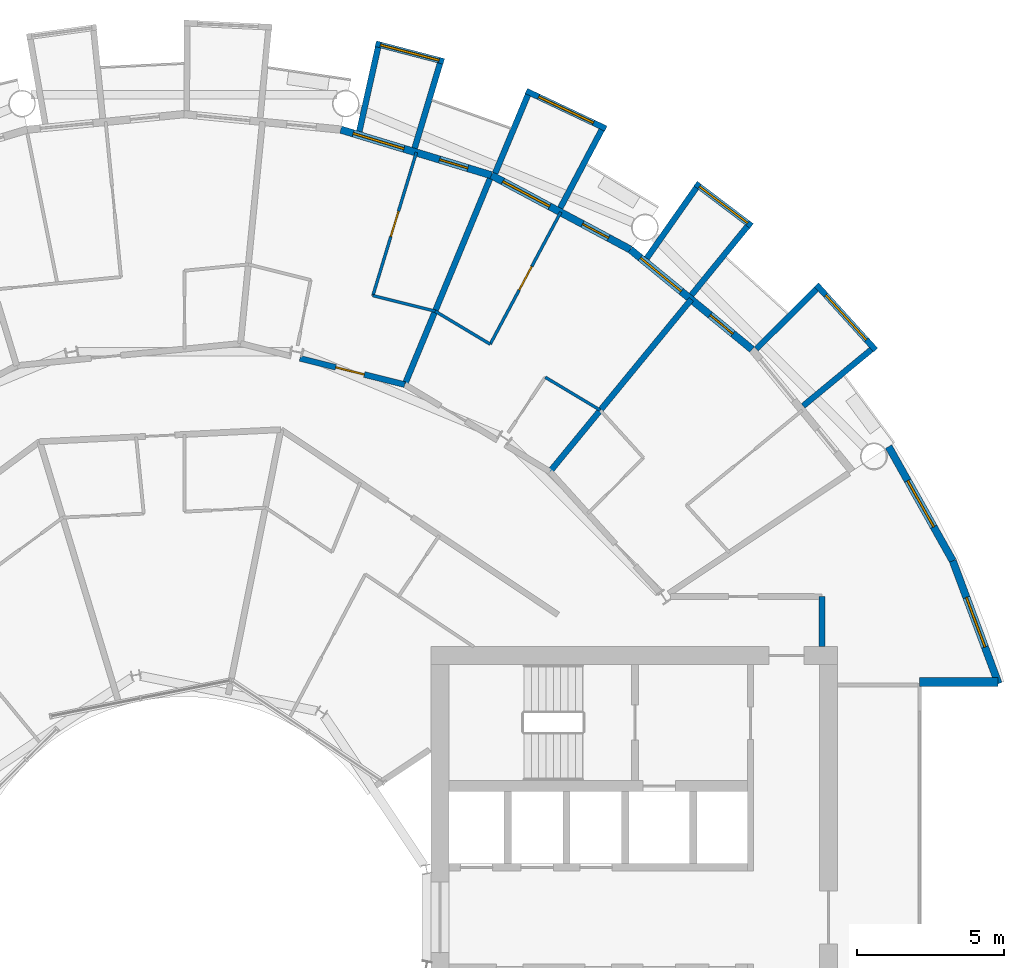
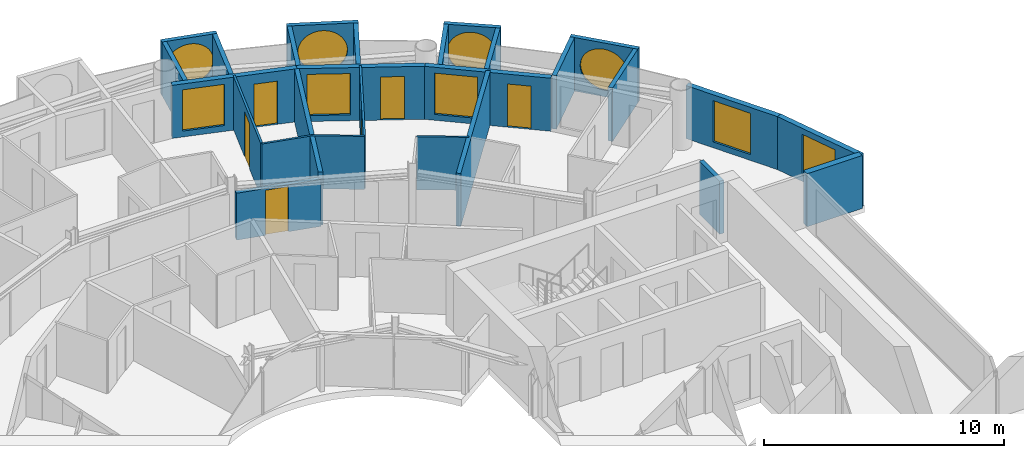
# One storey, part 23 of 27: 27 walls, 9 windows, 6 doors, 15 openings.
"""IFC4 building model written with IfcOpenShell, lengths in metres."""

from ifc_helpers import new_model, si_unit, direction, frame, frame_2d, origin, place, context, subcontext, project, spatial, rectangle, circle, extrude, material, layer, layer_set, type_object, element, fill, save


model = new_model("IFC4")

# Units and contexts
model_context = context("Model", 3, precision=1e-05, world=origin(), true_north=direction((0.0, 1.0)))
body_context = subcontext(model_context, "Body", "Model", "MODEL_VIEW")
ifc_project = project(units=[si_unit("LENGTHUNIT", "METRE"), si_unit("AREAUNIT", "SQUARE_METRE"), si_unit("VOLUMEUNIT", "CUBIC_METRE"), si_unit("PLANEANGLEUNIT", "RADIAN"), si_unit("MASSUNIT", "GRAM", prefix="KILO")], contexts=[model_context])

# Site, building, storey
site_placement = place(None, origin())
site = spatial("IfcSite", under=ifc_project, at=site_placement, CompositionType="ELEMENT")
building_placement = place(site_placement, origin())
building = spatial("IfcBuilding", under=site, at=building_placement, Name="Maasbend Ring Residences", CompositionType="ELEMENT")
storey_placement = place(building_placement, frame((0.0, 0.0, 126.89990234375)))
storey = spatial("IfcBuildingStorey", under=building, at=storey_placement, Name="L36", CompositionType="ELEMENT", Elevation=126.89990234375)

# Wall
ifc_material_1 = material(Name="Concrete C30/37", Category="concrete")
ifc_layer_1 = layer(ifc_material_1, 0.199951171875)
ifc_layer_set_1 = layer_set([ifc_layer_1], Name="Concrete C30/37")
wall_type_1 = type_object("IfcWallType", Name="CORRIDOR WALL 200 CONCRETE", PredefinedType="PARTITIONING", material=ifc_layer_set_1)
wall_1_placement = place(storey_placement, frame((21.675048828125, 9.199951171875, 0.0), z_axis=(0.0, 0.0, 1.0), x_axis=(0.0, 1.0, 0.0)))
element("IfcWall", 1, at=wall_1_placement, inside=storey, type_object=wall_type_1, Name="U-L36-w014", PredefinedType="PARTITIONING", context=body_context, shape_type="SweptSolid", body=[
    extrude(rectangle(XDim=1.699951171875, YDim=0.199951171875, at=frame_2d((0.85009765625, 0.0))), origin(), (0.0, 0.0, 1.0), 2.7001953125),
])

# Wall, opening, door
wall_2_placement = place(storey_placement, frame((3.93603515625, 19.0009765625, 0.0), z_axis=(0.0, 0.0, 1.0), x_axis=(0.970025155677, -0.243004521262, 0.0)))
wall_2 = element("IfcWall", 2, at=wall_2_placement, inside=storey, type_object=wall_type_1, Name="U-L36-w113", PredefinedType="PARTITIONING", context=body_context, shape_type="SweptSolid", body=[
    extrude(rectangle(XDim=3.675048828125, YDim=0.199951171875, at=frame_2d((1.83740234375, 0.0))), origin(), (0.0, 0.0, 1.0), 2.39013671875),
])
opening_1_placement = place(wall_2_placement, frame((1.258056640625, 0.0, 0.0)))
opening_1 = element("IfcOpeningElement", 3, at=opening_1_placement, cuts=wall_2, Name="Opening D-3607", PredefinedType="OPENING", context=body_context, shape_type="SweptSolid", body=[
    extrude(rectangle(XDim=1.0, YDim=2.300048828125, at=frame_2d((0.5, 1.14990234375))), frame((0.0, 0.10986328125, 0.0), z_axis=(0.0, -1.0, 0.0), x_axis=(1.0, 0.0, 0.0)), (0.0, 0.0, 1.0), 0.219970703125),
])
ifc_material_2 = material(Name="Timber, fire-rated, painted", Category="wood")
door_type_1 = type_object("IfcDoorType", Name="FLAT ENTRANCE DOOR 1000 X 2300 FIRE-RATED", OperationType="NOTDEFINED", PredefinedType="DOOR", material=ifc_material_2)
door_1_placement = place(opening_1_placement, origin())
door_1 = element("IfcDoor", 4, at=door_1_placement, inside=storey, type_object=door_type_1, Name="D-3607", OperationType="SINGLE_SWING_LEFT", OverallHeight=2.300048828125, OverallWidth=1.0, PredefinedType="DOOR", context=body_context, shape_type="SweptSolid", body=[
    extrude(rectangle(XDim=1.0, YDim=2.300048828125, at=frame_2d((0.5, 1.14990234375))), frame((0.0, 0.02490234375, 0.0), z_axis=(0.0, -1.0, 0.0), x_axis=(1.0, 0.0, 0.0)), (0.0, 0.0, 1.0), 0.050048828125),
])
fill(opening_1, door_1)

# Wall, opening, window
ifc_material_3 = material(Name="Pale anodised aluminium panel", Category="aluminium")
ifc_layer_2 = layer(ifc_material_3, 0.199951171875)
ifc_layer_set_2 = layer_set([ifc_layer_2], Name="EW-BOX")
wall_type_2 = type_object("IfcWallType", Name="EW-BOX", PredefinedType="SOLIDWALL", material=ifc_layer_set_2)
wall_3_placement = place(storey_placement, frame((23.5029296875, 19.281982421875, -0.02978515625), z_axis=(0.0, 0.0, 1.0), x_axis=(-0.671506829416, 0.740998365753, 0.0)))
wall_3 = element("IfcWall", 5, at=wall_3_placement, inside=storey, type_object=wall_type_2, Name="Box front N02", PredefinedType="SOLIDWALL", context=body_context, shape_type="SweptSolid", body=[
    extrude(rectangle(XDim=2.9931640625, YDim=0.199951171875, at=frame_2d((1.49658203125, 0.0))), origin(), (0.0, 0.0, 1.0), 2.72998046875),
])
opening_2_placement = place(wall_3_placement, frame((0.45654296875, 0.0, 0.330078125)))
opening_2 = element("IfcOpeningElement", 6, at=opening_2_placement, cuts=wall_3, Name="Opening W-RD", PredefinedType="OPENING", context=body_context, shape_type="SweptSolid", body=[
    extrude(circle(Radius=1.0400390625, at=frame_2d((1.0400390625, 1.0400390625))), frame((0.0, 0.10986328125, 0.0), z_axis=(0.0, -1.0, 0.0), x_axis=(1.0, 0.0, 0.0)), (0.0, 0.0, 1.0), 0.219970703125),
])
ifc_material_4 = material(Name="Aluminium and clear glass", Category="aluminium")
window_type_1 = type_object("IfcWindowType", Name="W-RD", PartitioningType="SINGLE_PANEL", PredefinedType="WINDOW", material=ifc_material_4)
window_1_placement = place(opening_2_placement, origin())
window_1 = element("IfcWindow", 7, at=window_1_placement, inside=storey, type_object=window_type_1, Name="Round window N02", OverallHeight=2.080078125, OverallWidth=2.080078125, PartitioningType="SINGLE_PANEL", PredefinedType="WINDOW", context=body_context, shape_type="SweptSolid", body=[
    extrude(circle(Radius=1.0400390625, at=frame_2d((1.0400390625, 1.0400390625))), frame((0.0, 0.030029296875, 0.0), z_axis=(0.0, -1.0, 0.0), x_axis=(1.0, 0.0, 0.0)), (0.0, 0.0, 1.0), 0.06005859375),
])
fill(opening_2, window_1)

# Walls
wall_4_placement = place(storey_placement, frame((21.041015625, 17.384033203125, -0.02978515625), z_axis=(0.0, 0.0, 1.0), x_axis=(0.770784861449, 0.63709551667, 0.0)))
element("IfcWall", 8, at=wall_4_placement, inside=storey, type_object=wall_type_2, Name="Box side wall N02 left", PredefinedType="SOLIDWALL", context=body_context, shape_type="SweptSolid", body=[
    extrude(rectangle(XDim=3.005859375, YDim=0.199951171875, at=frame_2d((1.5029296875, 0.0))), origin(), (0.0, 0.0, 1.0), 2.72998046875),
])
wall_5_placement = place(storey_placement, frame((19.449951171875, 19.322998046875, -0.02978515625), z_axis=(0.0, 0.0, 1.0), x_axis=(0.709727076896, 0.704476739375, 0.0)))
element("IfcWall", 9, at=wall_5_placement, inside=storey, type_object=wall_type_2, Name="Box side wall N02 right", PredefinedType="SOLIDWALL", context=body_context, shape_type="SweptSolid", body=[
    extrude(rectangle(XDim=2.883056640625, YDim=0.199951171875, at=frame_2d((1.44140625, 0.0))), origin(), (0.0, 0.0, 1.0), 2.72998046875),
])

# Wall, opening, window
wall_6_placement = place(storey_placement, frame((19.2890625, 23.4970703125, -0.02978515625), z_axis=(0.0, 0.0, 1.0), x_axis=(-0.797456837111, 0.603375996329, 0.0)))
wall_6 = element("IfcWall", 10, at=wall_6_placement, inside=storey, type_object=wall_type_2, Name="Box front N04", PredefinedType="SOLIDWALL", context=body_context, shape_type="SweptSolid", body=[
    extrude(rectangle(XDim=2.391357421875, YDim=0.199951171875, at=frame_2d((1.19580078125, 0.0))), origin(), (0.0, 0.0, 1.0), 2.72998046875),
])
opening_3_placement = place(wall_6_placement, frame((0.15576171875, 0.0, 0.330078125)))
opening_3 = element("IfcOpeningElement", 11, at=opening_3_placement, cuts=wall_6, Name="Opening W-RD", PredefinedType="OPENING", context=body_context, shape_type="SweptSolid", body=[
    extrude(circle(Radius=1.0400390625, at=frame_2d((1.0400390625, 1.0400390625))), frame((0.0, 0.10986328125, 0.0), z_axis=(0.0, -1.0, 0.0), x_axis=(1.0, 0.0, 0.0)), (0.0, 0.0, 1.0), 0.219970703125),
])
window_2_placement = place(opening_3_placement, origin())
window_2 = element("IfcWindow", 12, at=window_2_placement, inside=storey, type_object=window_type_1, Name="Round window N04", OverallHeight=2.080078125, OverallWidth=2.080078125, PartitioningType="SINGLE_PANEL", PredefinedType="WINDOW", context=body_context, shape_type="SweptSolid", body=[
    extrude(circle(Radius=1.0400390625, at=frame_2d((1.0400390625, 1.0400390625))), frame((0.0, 0.030029296875, 0.0), z_axis=(0.0, -1.0, 0.0), x_axis=(1.0, 0.0, 0.0)), (0.0, 0.0, 1.0), 0.06005859375),
])
fill(opening_3, window_2)

# Walls
wall_7_placement = place(storey_placement, frame((17.24609375, 21.155029296875, -0.02978515625), z_axis=(0.0, 0.0, 1.0), x_axis=(0.631741648902, 0.775179004516, 0.0)))
element("IfcWall", 13, at=wall_7_placement, inside=storey, type_object=wall_type_2, Name="Box side wall N04 left", PredefinedType="SOLIDWALL", context=body_context, shape_type="SweptSolid", body=[
    extrude(rectangle(XDim=3.005859375, YDim=0.199951171875, at=frame_2d((1.5029296875, 0.0))), origin(), (0.0, 0.0, 1.0), 2.72998046875),
])
wall_8_placement = place(storey_placement, frame((15.72607421875, 22.402099609375, -0.02978515625), z_axis=(0.0, 0.0, 1.0), x_axis=(0.574826383135, 0.818275399393, 0.0)))
element("IfcWall", 14, at=wall_8_placement, inside=storey, type_object=wall_type_2, Name="Box side wall N04 right", PredefinedType="SOLIDWALL", context=body_context, shape_type="SweptSolid", body=[
    extrude(rectangle(XDim=2.92919921875, YDim=0.199951171875, at=frame_2d((1.464599609375, 0.0))), origin(), (0.0, 0.0, 1.0), 2.72998046875),
])

# Wall, opening, window
wall_9_placement = place(storey_placement, frame((14.3349609375, 26.80810546875, -0.02978515625), z_axis=(0.0, 0.0, 1.0), x_axis=(-0.904000060331, 0.427532327342, 0.0)))
wall_9 = element("IfcWall", 15, at=wall_9_placement, inside=storey, type_object=wall_type_2, Name="Box front N06", PredefinedType="SOLIDWALL", context=body_context, shape_type="SweptSolid", body=[
    extrude(rectangle(XDim=2.993408203125, YDim=0.199951171875, at=frame_2d((1.49658203125, 0.0))), origin(), (0.0, 0.0, 1.0), 2.72998046875),
])
opening_4_placement = place(wall_9_placement, frame((0.45654296875, 0.0, 0.330078125)))
opening_4 = element("IfcOpeningElement", 16, at=opening_4_placement, cuts=wall_9, Name="Opening W-RD", PredefinedType="OPENING", context=body_context, shape_type="SweptSolid", body=[
    extrude(circle(Radius=1.0400390625, at=frame_2d((1.0400390625, 1.0400390625))), frame((0.0, 0.10986328125, 0.0), z_axis=(0.0, -1.0, 0.0), x_axis=(1.0, 0.0, 0.0)), (0.0, 0.0, 1.0), 0.219970703125),
])
window_3_placement = place(opening_4_placement, origin())
window_3 = element("IfcWindow", 17, at=window_3_placement, inside=storey, type_object=window_type_1, Name="Round window N06", OverallHeight=2.080078125, OverallWidth=2.080078125, PartitioningType="SINGLE_PANEL", PredefinedType="WINDOW", context=body_context, shape_type="SweptSolid", body=[
    extrude(circle(Radius=1.0400390625, at=frame_2d((1.0400390625, 1.0400390625))), frame((0.0, 0.030029296875, 0.0), z_axis=(0.0, -1.0, 0.0), x_axis=(1.0, 0.0, 0.0)), (0.0, 0.0, 1.0), 0.06005859375),
])
fill(opening_4, window_3)

# Walls
wall_10_placement = place(storey_placement, frame((12.787109375, 24.113037109375, -0.02978515625), z_axis=(0.0, 0.0, 1.0), x_axis=(0.468365282436, 0.883534924159, 0.0)))
element("IfcWall", 18, at=wall_10_placement, inside=storey, type_object=wall_type_2, Name="Box side wall N06 left", PredefinedType="SOLIDWALL", context=body_context, shape_type="SweptSolid", body=[
    extrude(rectangle(XDim=3.006103515625, YDim=0.199951171875, at=frame_2d((1.5029296875, 0.0))), origin(), (0.0, 0.0, 1.0), 2.72998046875),
])
wall_11_placement = place(storey_placement, frame((10.574951171875, 25.294921875, -0.02978515625), z_axis=(0.0, 0.0, 1.0), x_axis=(0.385697364644, 0.922625353492, 0.0)))
element("IfcWall", 19, at=wall_11_placement, inside=storey, type_object=wall_type_2, Name="Box side wall N06 right", PredefinedType="SOLIDWALL", context=body_context, shape_type="SweptSolid", body=[
    extrude(rectangle(XDim=2.88330078125, YDim=0.199951171875, at=frame_2d((1.441650390625, 0.0))), origin(), (0.0, 0.0, 1.0), 2.72998046875),
])

# Wall, opening, window
wall_12_placement = place(storey_placement, frame((8.827880859375, 29.090087890625, -0.02978515625), z_axis=(0.0, 0.0, 1.0), x_axis=(-0.967554339146, 0.252663018266, 0.0)))
wall_12 = element("IfcWall", 20, at=wall_12_placement, inside=storey, type_object=wall_type_2, Name="Box front N08", PredefinedType="SOLIDWALL", context=body_context, shape_type="SweptSolid", body=[
    extrude(rectangle(XDim=2.390625, YDim=0.199951171875, at=frame_2d((1.1953125, 0.0))), origin(), (0.0, 0.0, 1.0), 2.72998046875),
])
opening_5_placement = place(wall_12_placement, frame((0.15576171875, 0.0, 0.330078125)))
opening_5 = element("IfcOpeningElement", 21, at=opening_5_placement, cuts=wall_12, Name="Opening W-RD", PredefinedType="OPENING", context=body_context, shape_type="SweptSolid", body=[
    extrude(circle(Radius=1.0400390625, at=frame_2d((1.0400390625, 1.0400390625))), frame((0.0, 0.10986328125, 0.0), z_axis=(0.0, -1.0, 0.0), x_axis=(1.0, 0.0, 0.0)), (0.0, 0.0, 1.0), 0.219970703125),
])
window_4_placement = place(opening_5_placement, origin())
window_4 = element("IfcWindow", 22, at=window_4_placement, inside=storey, type_object=window_type_1, Name="Round window N08", OverallHeight=2.080078125, OverallWidth=2.080078125, PartitioningType="SINGLE_PANEL", PredefinedType="WINDOW", context=body_context, shape_type="SweptSolid", body=[
    extrude(circle(Radius=1.0400390625, at=frame_2d((1.0400390625, 1.0400390625))), frame((0.0, 0.030029296875, 0.0), z_axis=(0.0, -1.0, 0.0), x_axis=(1.0, 0.0, 0.0)), (0.0, 0.0, 1.0), 0.06005859375),
])
fill(opening_5, window_4)

# Walls
wall_13_placement = place(storey_placement, frame((7.8369140625, 26.14404296875, -0.02978515625), z_axis=(0.0, 0.0, 1.0), x_axis=(0.287064767992, 0.957911174889, 0.0)))
element("IfcWall", 23, at=wall_13_placement, inside=storey, type_object=wall_type_2, Name="Box side wall N08 left", PredefinedType="SOLIDWALL", context=body_context, shape_type="SweptSolid", body=[
    extrude(rectangle(XDim=3.00634765625, YDim=0.199951171875, at=frame_2d((1.503173828125, 0.0))), origin(), (0.0, 0.0, 1.0), 2.72998046875),
])
wall_14_placement = place(storey_placement, frame((5.95703125, 26.715087890625, -0.02978515625), z_axis=(0.0, 0.0, 1.0), x_axis=(0.217857287091, 0.975980636315, 0.0)))
element("IfcWall", 24, at=wall_14_placement, inside=storey, type_object=wall_type_2, Name="Box side wall N08 right", PredefinedType="SOLIDWALL", context=body_context, shape_type="SweptSolid", body=[
    extrude(rectangle(XDim=2.92822265625, YDim=0.199951171875, at=frame_2d((1.464111328125, 0.0))), origin(), (0.0, 0.0, 1.0), 2.72998046875),
])

# Wall, openings, door, window
ifc_material_5 = material(Name="Aluminium clad insulated panel", Category="aluminium")
ifc_layer_3 = layer(ifc_material_5, 0.25)
ifc_layer_set_3 = layer_set([ifc_layer_3], Name="EW-GL")
wall_type_3 = type_object("IfcWallType", Name="EW-GL", PredefinedType="SOLIDWALL", material=ifc_layer_set_3)
wall_15_placement = place(storey_placement, frame((19.303955078125, 19.303955078125, 0.0), z_axis=(0.0, 0.0, 1.0), x_axis=(-0.773019449054, 0.634382322723, 0.0)))
wall_15 = element("IfcWall", 25, at=wall_15_placement, inside=storey, type_object=wall_type_3, Name="External wall N02", PredefinedType="SOLIDWALL", context=body_context, shape_type="SweptSolid", body=[
    extrude(rectangle(XDim=5.351806640625, YDim=0.25, at=frame_2d((2.67578125, 0.0))), origin(), (0.0, 0.0, 1.0), 2.7001953125),
])
opening_6_placement = place(wall_15_placement, frame((0.841064453125, 0.0, 0.0)))
opening_6 = element("IfcOpeningElement", 26, at=opening_6_placement, cuts=wall_15, Name="Opening D-LG", PredefinedType="OPENING", context=body_context, shape_type="SweptSolid", body=[
    extrude(rectangle(XDim=1.0, YDim=2.199951171875, at=frame_2d((0.5, 1.10009765625))), frame((0.0, 0.135009765625, 0.0), z_axis=(0.0, -1.0, 0.0), x_axis=(1.0, 0.0, 0.0)), (0.0, 0.0, 1.0), 0.27001953125),
])
opening_7_placement = place(wall_15_placement, frame((3.110595703125, 0.0, 0.300048828125)))
opening_7 = element("IfcOpeningElement", 27, at=opening_7_placement, cuts=wall_15, Name="Opening W-BX", PredefinedType="OPENING", context=body_context, shape_type="SweptSolid", body=[
    extrude(rectangle(XDim=1.800048828125, YDim=2.10009765625, at=frame_2d((0.89990234375, 1.050048828125))), frame((0.0, 0.135009765625, 0.0), z_axis=(0.0, -1.0, 0.0), x_axis=(1.0, 0.0, 0.0)), (0.0, 0.0, 1.0), 0.27001953125),
])
ifc_material_6 = material(Name="Aluminium and clear glass", Category="aluminium")
door_type_2 = type_object("IfcDoorType", Name="D-LG", OperationType="SINGLE_SWING_LEFT", PredefinedType="DOOR", material=ifc_material_6)
door_2_placement = place(opening_6_placement, origin())
door_2 = element("IfcDoor", 28, at=door_2_placement, inside=storey, type_object=door_type_2, Name="Loggia door N03", OperationType="SINGLE_SWING_LEFT", OverallHeight=2.199951171875, OverallWidth=1.0, PredefinedType="DOOR", context=body_context, shape_type="SweptSolid", body=[
    extrude(rectangle(XDim=1.0, YDim=2.199951171875, at=frame_2d((0.5, 1.10009765625))), frame((0.0, 0.02490234375, 0.0), z_axis=(0.0, -1.0, 0.0), x_axis=(1.0, 0.0, 0.0)), (0.0, 0.0, 1.0), 0.050048828125),
])
fill(opening_6, door_2)
ifc_material_7 = material(Name="Aluminium and clear glass", Category="aluminium")
window_type_2 = type_object("IfcWindowType", Name="W-BX", PartitioningType="DOUBLE_PANEL_VERTICAL", PredefinedType="WINDOW", material=ifc_material_7)
window_5_placement = place(opening_7_placement, origin())
window_5 = element("IfcWindow", 29, at=window_5_placement, inside=storey, type_object=window_type_2, Name="Window N04 room to box", OverallHeight=2.10009765625, OverallWidth=1.800048828125, PartitioningType="SINGLE_PANEL", PredefinedType="WINDOW", context=body_context, shape_type="SweptSolid", body=[
    extrude(rectangle(XDim=1.800048828125, YDim=2.10009765625, at=frame_2d((0.89990234375, 1.050048828125))), frame((0.0, 0.030029296875, 0.0), z_axis=(0.0, -1.0, 0.0), x_axis=(1.0, 0.0, 0.0)), (0.0, 0.0, 1.0), 0.06005859375),
])
fill(opening_7, window_5)

wall_16_placement = place(storey_placement, frame((15.1669921875, 22.698974609375, 0.0), z_axis=(0.0, 0.0, 1.0), x_axis=(-0.881915646801, 0.471407246368, 0.0)))
wall_16 = element("IfcWall", 30, at=wall_16_placement, inside=storey, type_object=wall_type_3, Name="External wall N03", PredefinedType="SOLIDWALL", context=body_context, shape_type="SweptSolid", body=[
    extrude(rectangle(XDim=5.35205078125, YDim=0.25, at=frame_2d((2.676025390625, 0.0))), origin(), (0.0, 0.0, 1.0), 2.7001953125),
])
opening_8_placement = place(wall_16_placement, frame((0.841064453125, 0.0, 0.0)))
opening_8 = element("IfcOpeningElement", 31, at=opening_8_placement, cuts=wall_16, Name="Opening D-LG", PredefinedType="OPENING", context=body_context, shape_type="SweptSolid", body=[
    extrude(rectangle(XDim=1.0, YDim=2.199951171875, at=frame_2d((0.5, 1.10009765625))), frame((0.0, 0.135009765625, 0.0), z_axis=(0.0, -1.0, 0.0), x_axis=(1.0, 0.0, 0.0)), (0.0, 0.0, 1.0), 0.27001953125),
])
opening_9_placement = place(wall_16_placement, frame((3.110595703125, 0.0, 0.300048828125)))
opening_9 = element("IfcOpeningElement", 32, at=opening_9_placement, cuts=wall_16, Name="Opening W-BX", PredefinedType="OPENING", context=body_context, shape_type="SweptSolid", body=[
    extrude(rectangle(XDim=1.800048828125, YDim=2.10009765625, at=frame_2d((0.89990234375, 1.050048828125))), frame((0.0, 0.135009765625, 0.0), z_axis=(0.0, -1.0, 0.0), x_axis=(1.0, 0.0, 0.0)), (0.0, 0.0, 1.0), 0.27001953125),
])
door_3_placement = place(opening_8_placement, origin())
door_3 = element("IfcDoor", 33, at=door_3_placement, inside=storey, type_object=door_type_2, Name="Loggia door N05", OperationType="SINGLE_SWING_LEFT", OverallHeight=2.199951171875, OverallWidth=1.0, PredefinedType="DOOR", context=body_context, shape_type="SweptSolid", body=[
    extrude(rectangle(XDim=1.0, YDim=2.199951171875, at=frame_2d((0.5, 1.10009765625))), frame((0.0, 0.02490234375, 0.0), z_axis=(0.0, -1.0, 0.0), x_axis=(1.0, 0.0, 0.0)), (0.0, 0.0, 1.0), 0.050048828125),
])
fill(opening_8, door_3)
window_6_placement = place(opening_9_placement, origin())
window_6 = element("IfcWindow", 34, at=window_6_placement, inside=storey, type_object=window_type_2, Name="Window N06 room to box", OverallHeight=2.10009765625, OverallWidth=1.800048828125, PartitioningType="SINGLE_PANEL", PredefinedType="WINDOW", context=body_context, shape_type="SweptSolid", body=[
    extrude(rectangle(XDim=1.800048828125, YDim=2.10009765625, at=frame_2d((0.89990234375, 1.050048828125))), frame((0.0, 0.030029296875, 0.0), z_axis=(0.0, -1.0, 0.0), x_axis=(1.0, 0.0, 0.0)), (0.0, 0.0, 1.0), 0.06005859375),
])
fill(opening_9, window_6)

wall_17_placement = place(storey_placement, frame((10.447021484375, 25.221923828125, 0.0), z_axis=(0.0, 0.0, 1.0), x_axis=(-0.956965678721, 0.290201119486, 0.0)))
wall_17 = element("IfcWall", 35, at=wall_17_placement, inside=storey, type_object=wall_type_3, Name="External wall N04", PredefinedType="SOLIDWALL", context=body_context, shape_type="SweptSolid", body=[
    extrude(rectangle(XDim=5.351318359375, YDim=0.25, at=frame_2d((2.67578125, 0.0))), origin(), (0.0, 0.0, 1.0), 2.7001953125),
])
opening_10_placement = place(wall_17_placement, frame((0.841064453125, 0.0, 0.0)))
opening_10 = element("IfcOpeningElement", 36, at=opening_10_placement, cuts=wall_17, Name="Opening D-LG", PredefinedType="OPENING", context=body_context, shape_type="SweptSolid", body=[
    extrude(rectangle(XDim=1.0, YDim=2.199951171875, at=frame_2d((0.5, 1.10009765625))), frame((0.0, 0.135009765625, 0.0), z_axis=(0.0, -1.0, 0.0), x_axis=(1.0, 0.0, 0.0)), (0.0, 0.0, 1.0), 0.27001953125),
])
opening_11_placement = place(wall_17_placement, frame((3.110595703125, 0.0, 0.300048828125)))
opening_11 = element("IfcOpeningElement", 37, at=opening_11_placement, cuts=wall_17, Name="Opening W-BX", PredefinedType="OPENING", context=body_context, shape_type="SweptSolid", body=[
    extrude(rectangle(XDim=1.800048828125, YDim=2.10009765625, at=frame_2d((0.89990234375, 1.050048828125))), frame((0.0, 0.135009765625, 0.0), z_axis=(0.0, -1.0, 0.0), x_axis=(1.0, 0.0, 0.0)), (0.0, 0.0, 1.0), 0.27001953125),
])
door_4_placement = place(opening_10_placement, origin())
door_4 = element("IfcDoor", 38, at=door_4_placement, inside=storey, type_object=door_type_2, Name="Loggia door N07", OperationType="SINGLE_SWING_LEFT", OverallHeight=2.199951171875, OverallWidth=1.0, PredefinedType="DOOR", context=body_context, shape_type="SweptSolid", body=[
    extrude(rectangle(XDim=1.0, YDim=2.199951171875, at=frame_2d((0.5, 1.10009765625))), frame((0.0, 0.02490234375, 0.0), z_axis=(0.0, -1.0, 0.0), x_axis=(1.0, 0.0, 0.0)), (0.0, 0.0, 1.0), 0.050048828125),
])
fill(opening_10, door_4)
window_7_placement = place(opening_11_placement, origin())
window_7 = element("IfcWindow", 39, at=window_7_placement, inside=storey, type_object=window_type_2, Name="Window N08 room to box", OverallHeight=2.10009765625, OverallWidth=1.800048828125, PartitioningType="SINGLE_PANEL", PredefinedType="WINDOW", context=body_context, shape_type="SweptSolid", body=[
    extrude(rectangle(XDim=1.800048828125, YDim=2.10009765625, at=frame_2d((0.89990234375, 1.050048828125))), frame((0.0, 0.030029296875, 0.0), z_axis=(0.0, -1.0, 0.0), x_axis=(1.0, 0.0, 0.0)), (0.0, 0.0, 1.0), 0.06005859375),
])
fill(opening_11, window_7)

# Wall, opening, window
ifc_material_8 = material(Name="Aluminium clad insulated panel", Category="aluminium")
ifc_layer_4 = layer(ifc_material_8, 0.25)
ifc_layer_set_4 = layer_set([ifc_layer_4], Name="EW-HORN")
wall_type_4 = type_object("IfcWallType", Name="EW-HORN", PredefinedType="SOLIDWALL", material=ifc_layer_set_4)
wall_18_placement = place(storey_placement, frame((27.681884765625, 7.945068359375, 0.0), z_axis=(0.0, 0.0, 1.0), x_axis=(-0.349247811493, 0.937030397675, 0.0)))
wall_18 = element("IfcWall", 40, at=wall_18_placement, inside=storey, type_object=wall_type_4, Name="Horn wall 1.1", PredefinedType="SOLIDWALL", context=body_context, shape_type="SweptSolid", body=[
    extrude(rectangle(XDim=4.4521484375, YDim=0.25, at=frame_2d((2.22607421875, 0.0))), origin(), (0.0, 0.0, 1.0), 2.7001953125),
])
opening_12_placement = place(wall_18_placement, frame((1.32666015625, 0.0, 0.300048828125)))
opening_12 = element("IfcOpeningElement", 41, at=opening_12_placement, cuts=wall_18, Name="Opening W-BX", PredefinedType="OPENING", context=body_context, shape_type="SweptSolid", body=[
    extrude(rectangle(XDim=1.800048828125, YDim=2.10009765625, at=frame_2d((0.89990234375, 1.050048828125))), frame((0.0, 0.135009765625, 0.0), z_axis=(0.0, -1.0, 0.0), x_axis=(1.0, 0.0, 0.0)), (0.0, 0.0, 1.0), 0.27001953125),
])
window_8_placement = place(opening_12_placement, origin())
window_8 = element("IfcWindow", 42, at=window_8_placement, inside=storey, type_object=window_type_2, Name="Horn window 1.1", OverallHeight=2.10009765625, OverallWidth=1.800048828125, PartitioningType="SINGLE_PANEL", PredefinedType="WINDOW", context=body_context, shape_type="SweptSolid", body=[
    extrude(rectangle(XDim=1.800048828125, YDim=2.10009765625, at=frame_2d((0.89990234375, 1.050048828125))), frame((0.0, 0.030029296875, 0.0), z_axis=(0.0, -1.0, 0.0), x_axis=(1.0, 0.0, 0.0)), (0.0, 0.0, 1.0), 0.06005859375),
])
fill(opening_12, window_8)

wall_19_placement = place(storey_placement, frame((26.126953125, 12.116943359375, 0.0), z_axis=(0.0, 0.0, 1.0), x_axis=(-0.489696356642, 0.871893042919, 0.0)))
wall_19 = element("IfcWall", 43, at=wall_19_placement, inside=storey, type_object=wall_type_4, Name="Horn wall 1.2", PredefinedType="SOLIDWALL", context=body_context, shape_type="SweptSolid", body=[
    extrude(rectangle(XDim=4.45361328125, YDim=0.25, at=frame_2d((2.226806640625, 0.0))), origin(), (0.0, 0.0, 1.0), 2.7001953125),
])
opening_13_placement = place(wall_19_placement, frame((1.32666015625, 0.0, 0.300048828125)))
opening_13 = element("IfcOpeningElement", 44, at=opening_13_placement, cuts=wall_19, Name="Opening W-BX", PredefinedType="OPENING", context=body_context, shape_type="SweptSolid", body=[
    extrude(rectangle(XDim=1.800048828125, YDim=2.10009765625, at=frame_2d((0.89990234375, 1.050048828125))), frame((0.0, 0.135009765625, 0.0), z_axis=(0.0, -1.0, 0.0), x_axis=(1.0, 0.0, 0.0)), (0.0, 0.0, 1.0), 0.27001953125),
])
window_9_placement = place(opening_13_placement, origin())
window_9 = element("IfcWindow", 45, at=window_9_placement, inside=storey, type_object=window_type_2, Name="Horn window 1.2", OverallHeight=2.10009765625, OverallWidth=1.800048828125, PartitioningType="SINGLE_PANEL", PredefinedType="WINDOW", context=body_context, shape_type="SweptSolid", body=[
    extrude(rectangle(XDim=1.800048828125, YDim=2.10009765625, at=frame_2d((0.89990234375, 1.050048828125))), frame((0.0, 0.030029296875, 0.0), z_axis=(0.0, -1.0, 0.0), x_axis=(1.0, 0.0, 0.0)), (0.0, 0.0, 1.0), 0.06005859375),
])
fill(opening_13, window_9)

# Wall
ifc_material_9 = material(Name="Aluminium clad insulated panel", Category="aluminium")
ifc_layer_5 = layer(ifc_material_9, 0.300048828125)
ifc_layer_set_5 = layer_set([ifc_layer_5], Name="EW-RET")
wall_type_5 = type_object("IfcWallType", Name="EW-RET", PredefinedType="SOLIDWALL", material=ifc_layer_set_5)
wall_20_placement = place(storey_placement, frame((25.0, 8.0, 0.0), z_axis=(0.0, 0.0, 1.0), x_axis=(1.0, 0.0, 0.0)))
element("IfcWall", 46, at=wall_20_placement, inside=storey, type_object=wall_type_5, Name="Notch return wall east north", PredefinedType="SOLIDWALL", context=body_context, shape_type="SweptSolid", body=[
    extrude(rectangle(XDim=2.6669921875, YDim=0.300048828125, at=frame_2d((1.33349609375, 0.0))), origin(), (0.0, 0.0, 1.0), 2.7001953125),
])

# Wall, opening, door
ifc_material_10 = material(Name="Gypsum board on steel studs", Category="steel")
ifc_layer_6 = layer(ifc_material_10, 0.10009765625)
ifc_layer_set_6 = layer_set([ifc_layer_6], Name="PARTITION 100 GYPSUM")
wall_type_6 = type_object("IfcWallType", Name="PARTITION 100 GYPSUM", PredefinedType="PARTITIONING", material=ifc_layer_set_6)
wall_21_placement = place(storey_placement, frame((6.41796875, 21.133056640625, 0.0), z_axis=(0.0, 0.0, 1.0), x_axis=(0.290651827018, 0.956828885147, 0.0)))
wall_21 = element("IfcWall", 47, at=wall_21_placement, inside=storey, type_object=wall_type_6, Name="U-L36-w080", PredefinedType="PARTITIONING", context=body_context, shape_type="SweptSolid", body=[
    extrude(rectangle(XDim=5.088623046875, YDim=0.10009765625, at=frame_2d((2.54443359375, 0.0))), origin(), (0.0, 0.0, 1.0), 2.7001953125),
])
opening_14_placement = place(wall_21_placement, frame((2.093994140625, 0.0, 0.0)))
opening_14 = element("IfcOpeningElement", 48, at=opening_14_placement, cuts=wall_21, Name="Opening D-3609", PredefinedType="OPENING", context=body_context, shape_type="SweptSolid", body=[
    extrude(rectangle(XDim=0.89990234375, YDim=2.300048828125, at=frame_2d((0.449951171875, 1.14990234375))), frame((0.0, 0.06005859375, 0.0), z_axis=(0.0, -1.0, 0.0), x_axis=(1.0, 0.0, 0.0)), (0.0, 0.0, 1.0), 0.1201171875),
])
ifc_material_11 = material(Name="Timber, painted", Category="wood")
door_type_3 = type_object("IfcDoorType", Name="INTERNAL DOOR 900 X 2300", OperationType="NOTDEFINED", PredefinedType="DOOR", material=ifc_material_11)
door_5_placement = place(opening_14_placement, origin())
door_5 = element("IfcDoor", 49, at=door_5_placement, inside=storey, type_object=door_type_3, Name="D-3609", OperationType="SINGLE_SWING_LEFT", OverallHeight=2.300048828125, OverallWidth=0.89990234375, PredefinedType="DOOR", context=body_context, shape_type="SweptSolid", body=[
    extrude(rectangle(XDim=0.89990234375, YDim=2.300048828125, at=frame_2d((0.449951171875, 1.14990234375))), frame((0.0, 0.02490234375, 0.0), z_axis=(0.0, -1.0, 0.0), x_axis=(1.0, 0.0, 0.0)), (0.0, 0.0, 1.0), 0.050048828125),
])
fill(opening_14, door_5)

wall_22_placement = place(storey_placement, frame((10.405029296875, 19.48095703125, 0.0), z_axis=(0.0, 0.0, 1.0), x_axis=(0.471170755767, 0.882042016522, 0.0)))
wall_22 = element("IfcWall", 50, at=wall_22_placement, inside=storey, type_object=wall_type_6, Name="U-L36-w085", PredefinedType="PARTITIONING", context=body_context, shape_type="SweptSolid", body=[
    extrude(rectangle(XDim=5.08935546875, YDim=0.10009765625, at=frame_2d((2.544677734375, 0.0))), origin(), (0.0, 0.0, 1.0), 2.7001953125),
])
opening_15_placement = place(wall_22_placement, frame((2.094970703125, 0.0, 0.0)))
opening_15 = element("IfcOpeningElement", 51, at=opening_15_placement, cuts=wall_22, Name="Opening D-3606", PredefinedType="OPENING", context=body_context, shape_type="SweptSolid", body=[
    extrude(rectangle(XDim=0.89990234375, YDim=2.300048828125, at=frame_2d((0.449951171875, 1.14990234375))), frame((0.0, 0.06005859375, 0.0), z_axis=(0.0, -1.0, 0.0), x_axis=(1.0, 0.0, 0.0)), (0.0, 0.0, 1.0), 0.1201171875),
])
door_6_placement = place(opening_15_placement, origin())
door_6 = element("IfcDoor", 52, at=door_6_placement, inside=storey, type_object=door_type_3, Name="D-3606", OperationType="SINGLE_SWING_RIGHT", OverallHeight=2.300048828125, OverallWidth=0.89990234375, PredefinedType="DOOR", context=body_context, shape_type="SweptSolid", body=[
    extrude(rectangle(XDim=0.89990234375, YDim=2.300048828125, at=frame_2d((0.449951171875, 1.14990234375))), frame((0.0, 0.02490234375, 0.0), z_axis=(0.0, -1.0, 0.0), x_axis=(1.0, 0.0, 0.0)), (0.0, 0.0, 1.0), 0.050048828125),
])
fill(opening_15, door_6)

# Walls
wall_23_placement = place(storey_placement, frame((6.41796875, 21.133056640625, 0.0), z_axis=(0.0, 0.0, 1.0), x_axis=(0.97003047456, -0.242983288366, 0.0)))
element("IfcWall", 53, at=wall_23_placement, inside=storey, type_object=wall_type_6, Name="U-L36-w126", PredefinedType="PARTITIONING", context=body_context, shape_type="SweptSolid", body=[
    extrude(rectangle(XDim=2.181396484375, YDim=0.10009765625, at=frame_2d((1.0908203125, 0.0))), origin(), (0.0, 0.0, 1.0), 2.7001953125),
])
for number, where, z_axis, x_axis, name in (
    (54, (8.533935546875, 20.60302734375, 0.0), (0.0, 0.0, 1.0), (0.857611386679, -0.514298268943, 0.0), "U-L36-w127"),
    (55, (12.27587890625, 18.35888671875, 0.0), (0.0, 0.0, 1.0), (0.857660741648, -0.514215958752, 0.0), "U-L36-w128"),
):
    element("IfcWall", number, at=place(storey_placement, frame(where, z_axis=z_axis, x_axis=x_axis)), inside=storey, type_object=wall_type_6, Name=name, PredefinedType="PARTITIONING", context=body_context, shape_type="SweptSolid", body=[
        extrude(rectangle(XDim=2.181640625, YDim=0.10009765625, at=frame_2d((1.0908203125, 0.0))), origin(), (0.0, 0.0, 1.0), 2.7001953125),
    ])
ifc_material_12 = material(Name="Concrete C30/37", Category="concrete")
ifc_layer_7 = layer(ifc_material_12, 0.199951171875)
ifc_layer_set_7 = layer_set([ifc_layer_7], Name="Concrete C30/37")
wall_type_7 = type_object("IfcWallType", Name="PARTY WALL 200 CONCRETE", PredefinedType="PARTITIONING", material=ifc_layer_set_7)
wall_24_placement = place(storey_placement, frame((7.5009765625, 18.10791015625, 0.0), z_axis=(0.0, 0.0, 1.0), x_axis=(0.382490346157, 0.923959487801, 0.0)))
element("IfcWall", 56, at=wall_24_placement, inside=storey, type_object=wall_type_7, Name="U-L36-w082", PredefinedType="PARTITIONING", context=body_context, shape_type="SweptSolid", body=[
    extrude(rectangle(XDim=7.573974609375, YDim=0.199951171875, at=frame_2d((3.787109375, 0.0))), origin(), (0.0, 0.0, 1.0), 2.7001953125),
])
wall_25_placement = place(storey_placement, frame((12.43408203125, 15.15087890625, 0.0), z_axis=(0.0, 0.0, 1.0), x_axis=(0.634381303318, 0.773020285633, 0.0)))
element("IfcWall", 57, at=wall_25_placement, inside=storey, type_object=wall_type_7, Name="U-L36-w089", PredefinedType="PARTITIONING", context=body_context, shape_type="SweptSolid", body=[
    extrude(rectangle(XDim=7.57568359375, YDim=0.199951171875, at=frame_2d((3.787841796875, 0.0))), origin(), (0.0, 0.0, 1.0), 2.7001953125),
])

save(model, "model.ifc")
